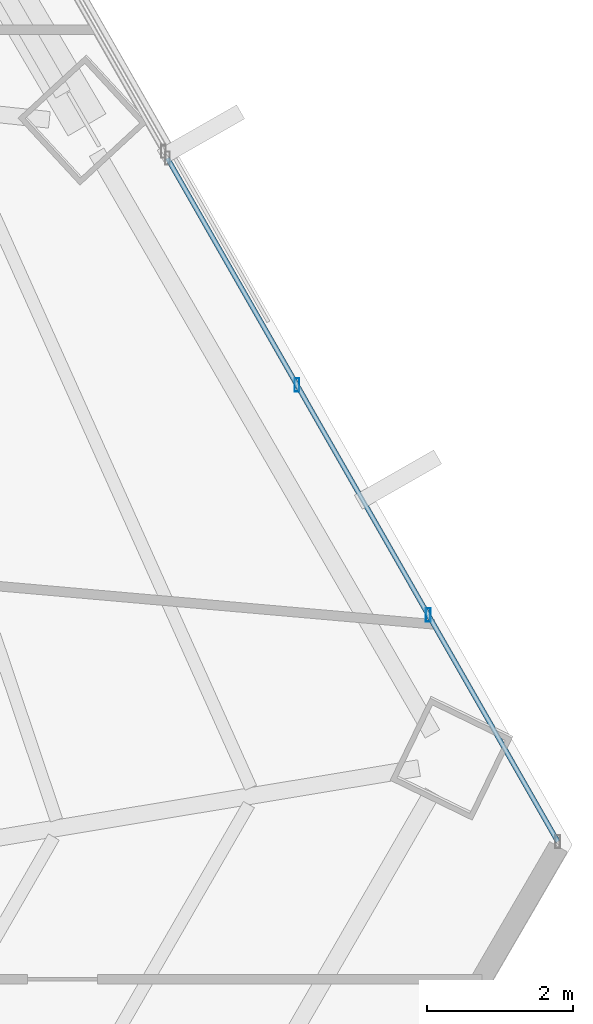
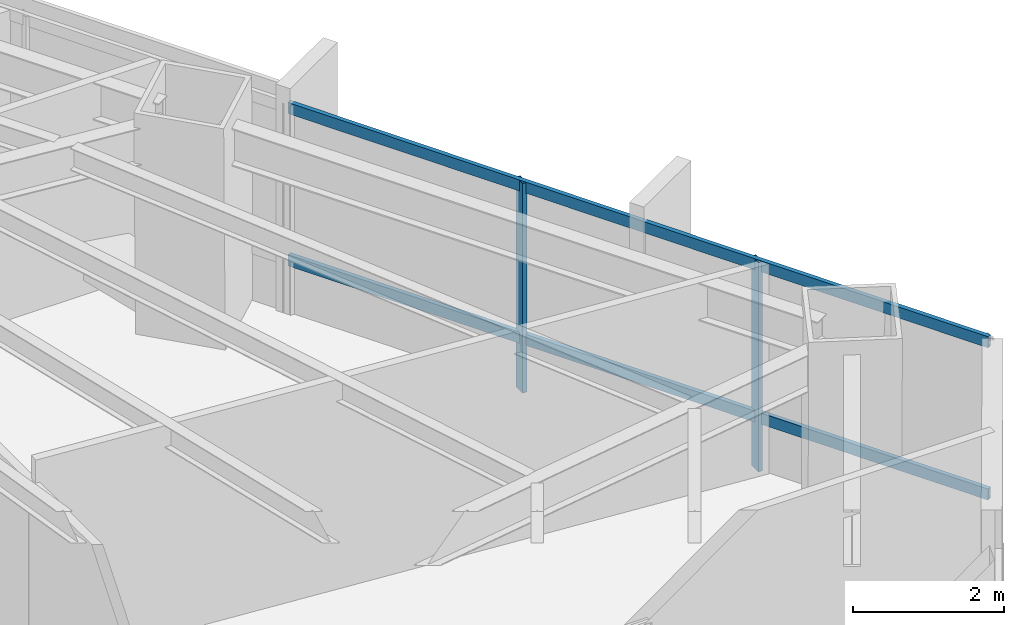
# One storey, part 23 of 36: 4 members, 1 element without a shape of its own.
"""IFC4 building model written with IfcOpenShell, lengths in metres."""

from ifc_helpers import new_model, si_unit, direction, frame, origin, origin_2d, place, context, subcontext, project, spatial, hollow_rectangle, extrude, source, transform, mapped, material, material_profile, profile_set, type_object, type_shapes, element, aggregate, save


model = new_model("IFC4")

# Units and contexts
model_context = context("Model", 3, precision=1e-05, world=origin(), true_north=direction((0.0, 1.0)))
body_context = subcontext(model_context, "Body", "Model", "MODEL_VIEW")
ifc_project = project(units=[si_unit("LENGTHUNIT", "METRE"), si_unit("AREAUNIT", "SQUARE_METRE"), si_unit("VOLUMEUNIT", "CUBIC_METRE"), si_unit("PLANEANGLEUNIT", "RADIAN"), si_unit("MASSUNIT", "GRAM", prefix="KILO")], contexts=[model_context])

# Site, building, storey
site_placement = place(None, origin())
site = spatial("IfcSite", under=ifc_project, at=site_placement, CompositionType="ELEMENT")
building_placement = place(site_placement, origin())
building = spatial("IfcBuilding", under=site, at=building_placement, Name="Caelisora Broadcast Tower", CompositionType="ELEMENT")
storey_placement = place(building_placement, frame((0.0, 0.0, 64.10009765625)))
storey = spatial("IfcBuildingStorey", under=building, at=storey_placement, Name="L16", CompositionType="ELEMENT", Elevation=64.10009765625)

# Curtain wall, members
ifc_material_1 = material(Name="Unitised Aluminium and Low-E Glass Curtain Wall", Category="glass")
curtain_wall_type = type_object("IfcCurtainWallType", Name="CW-Z1", PredefinedType="NOTDEFINED", material=ifc_material_1)
curtain_wall_placement = place(storey_placement, origin())
curtain_wall = element("IfcCurtainWall", 1, at=curtain_wall_placement, inside=storey, type_object=curtain_wall_type, Name="L16 curtain wall CW-Z1", PredefinedType="NOTDEFINED")
ifc_material_2 = material(Name="Aluminium 6063-T6 Anodised Terracotta Bronze", Category="aluminium")
ifc_material_profile_1 = material_profile(ifc_material_2, hollow_rectangle(XDim=0.06494140625, YDim=0.179931640625, WallThickness=0.00341796875, at=origin_2d()), Name="Aluminium 6063-T6 Anodised Terracotta Bronze")
ifc_profile_set_1 = profile_set([ifc_material_profile_1], Name="Aluminium 6063-T6 Anodised Terracotta Bronze")
member_type_1 = type_object("IfcMemberType", Name="CWM-02", PredefinedType="MULLION", material=ifc_profile_set_1)
shared_shape_1 = source(origin(), body_context, "Body", "SweptSolid", [
    extrude(hollow_rectangle(XDim=0.06494140625, YDim=0.179931640625, WallThickness=0.00341796875, at=origin_2d()), origin(), (0.0, 0.0, 1.0), 3.39990234375),
])
type_shapes(member_type_1, [shared_shape_1])
member_1_placement = place(storey_placement, frame((59.4404296875, 25.236572265625, 0.0), z_axis=(0.0, 0.0, 1.0), x_axis=(1.0, 0.0, 0.0)))
member_1 = element("IfcMember", 2, at=member_1_placement, type_object=member_type_1, Name="L16-CW-B03 mullion #1", PredefinedType="MULLION", context=body_context, shape_type="MappedRepresentation", body=[
    mapped(shared_shape_1, transform((0.0, 0.0, 0.0), scale=1.0)),
])
member_2_placement = place(storey_placement, frame((61.23828125, 22.08935546875, 0.0), z_axis=(0.0, 0.0, 1.0), x_axis=(1.0, 0.0, 0.0)))
member_2 = element("IfcMember", 3, at=member_2_placement, type_object=member_type_1, Name="L16-CW-B03 mullion #2", PredefinedType="MULLION", context=body_context, shape_type="MappedRepresentation", body=[
    mapped(shared_shape_1, transform((0.0, 0.0, 0.0), scale=1.0)),
])
ifc_material_profile_2 = material_profile(ifc_material_2, hollow_rectangle(XDim=0.06494140625, YDim=0.179931640625, WallThickness=0.00341796875, at=origin_2d()), Name="Aluminium 6063-T6 Anodised Terracotta Bronze")
ifc_profile_set_2 = profile_set([ifc_material_profile_2], Name="Aluminium 6063-T6 Anodised Terracotta Bronze")
member_type_2 = type_object("IfcMemberType", Name="CWT-01", PredefinedType="USERDEFINED", material=ifc_profile_set_2)
shared_shape_2 = source(origin(), body_context, "Body", "SweptSolid", [
    extrude(hollow_rectangle(XDim=0.06494140625, YDim=0.179931640625, WallThickness=0.00341796875, at=origin_2d()), origin(), (0.0, 0.0, 1.0), 10.77392578125),
])
type_shapes(member_type_2, [shared_shape_2])
member_3_placement = place(storey_placement, frame((57.667236328125, 28.340576171875, 0.849853515625), z_axis=(0.496009595278, -0.868317039676, 0.0), x_axis=(0.868317039676, 0.496009595278, 0.0)))
member_3 = element("IfcMember", 4, at=member_3_placement, type_object=member_type_2, Name="L16-CW-B03 transom #1", ObjectType="TRANSOM", PredefinedType="USERDEFINED", context=body_context, shape_type="MappedRepresentation", body=[
    mapped(shared_shape_2, transform((0.0, 0.0, 0.0), scale=1.0)),
])
member_4_placement = place(storey_placement, frame((57.667236328125, 28.340576171875, 3.31982421875), z_axis=(0.496009595278, -0.868317039676, 0.0), x_axis=(0.868317039676, 0.496009595278, 0.0)))
member_4 = element("IfcMember", 5, at=member_4_placement, type_object=member_type_2, Name="L16-CW-B03 transom #2", ObjectType="TRANSOM", PredefinedType="USERDEFINED", context=body_context, shape_type="MappedRepresentation", body=[
    mapped(shared_shape_2, transform((0.0, 0.0, 0.0), scale=1.0)),
])
aggregate(curtain_wall, [member_1, member_2, member_3, member_4])

save(model, "model.ifc")
